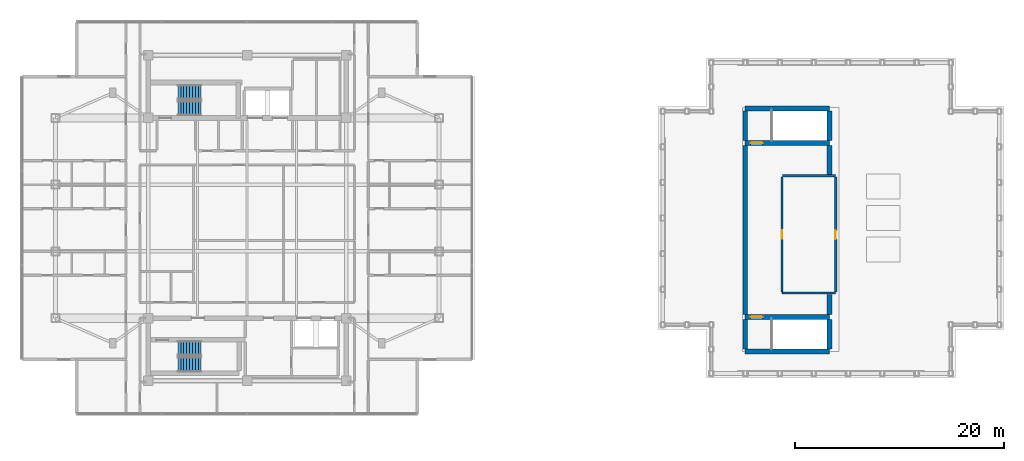
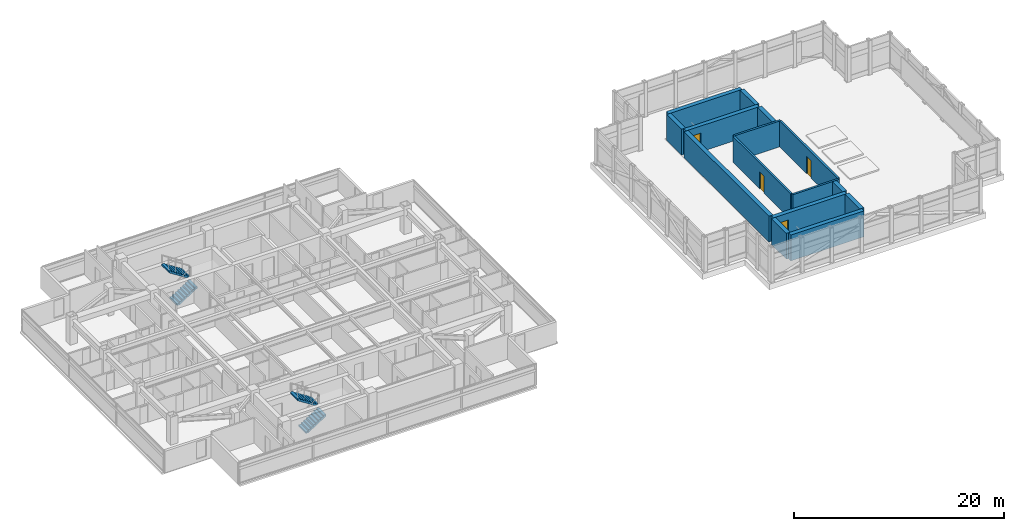
# One storey, part 14 of 17: 15 walls, 4 doors, 4 stair flights, 4 openings, 2 elements without a shape of their own.
"""IFC4 building model written with IfcOpenShell, lengths in metres."""

from ifc_helpers import new_model, si_unit, direction, frame, frame_2d, origin, place, context, subcontext, project, spatial, polyline, rectangle, outline, extrude, material, layer, layer_set, type_object, element, fill, aggregate, save


model = new_model("IFC4")

# Units and contexts
model_context = context("Model", 3, precision=1e-05, world=origin(), true_north=direction((0.0, 1.0)))
body_context = subcontext(model_context, "Body", "Model", "MODEL_VIEW")
ifc_project = project(units=[si_unit("LENGTHUNIT", "METRE"), si_unit("AREAUNIT", "SQUARE_METRE"), si_unit("VOLUMEUNIT", "CUBIC_METRE"), si_unit("PLANEANGLEUNIT", "RADIAN"), si_unit("MASSUNIT", "GRAM", prefix="KILO")], contexts=[model_context])

# Site, building, storey
site_placement = place(None, origin())
site = spatial("IfcSite", under=ifc_project, at=site_placement, CompositionType="ELEMENT")
building_placement = place(site_placement, origin())
building = spatial("IfcBuilding", under=site, at=building_placement, Name="Mirazonda Arch Towers", CompositionType="ELEMENT")
storey_placement = place(building_placement, frame((0.0, 0.0, 209.64990234375)))
storey = spatial("IfcBuildingStorey", under=building, at=storey_placement, Name="L60", CompositionType="ELEMENT", Elevation=209.64990234375)

# Wall
ifc_material_1 = material(Name="Concrete C50/60", Category="concrete")
ifc_layer_1 = layer(ifc_material_1, 0.449951171875, Name="WALL-CORE-450")
ifc_layer_set_1 = layer_set([ifc_layer_1], Name="Concrete C50/60")
wall_type_1 = type_object("IfcWallType", Name="WALL-CORE-450", PredefinedType="SHEAR", material=ifc_layer_set_1)
wall_1_placement = place(storey_placement, frame((68.27001953125, 15.199951171875, 0.0), z_axis=(0.0, 0.0, 1.0), x_axis=(1.0, 0.0, 0.0)))
element("IfcWall", 1, at=wall_1_placement, inside=storey, type_object=wall_type_1, Name="L60 Stair Core Shear Wall 007", PredefinedType="SHEAR", context=body_context, shape_type="SweptSolid", body=[
    extrude(rectangle(XDim=8.090087890625, YDim=0.449951171875, at=frame_2d((4.044921875, 0.0))), origin(), (0.0, 0.0, 1.0), 3.02001953125),
])

# Wall, opening, door
wall_2_placement = place(storey_placement, frame((68.27001953125, 18.5, 0.0), z_axis=(0.0, 0.0, 1.0), x_axis=(1.0, 0.0, 0.0)))
wall_2 = element("IfcWall", 2, at=wall_2_placement, inside=storey, type_object=wall_type_1, Name="L60 Stair Core Shear Wall 012", PredefinedType="SHEAR", context=body_context, shape_type="SweptSolid", body=[
    extrude(rectangle(XDim=8.090087890625, YDim=0.449951171875, at=frame_2d((4.044921875, 0.0))), origin(), (0.0, 0.0, 1.0), 3.02001953125),
])
opening_1_placement = place(wall_2_placement, frame((0.52001953125, 0.0, 0.0)))
opening_1 = element("IfcOpeningElement", 3, at=opening_1_placement, cuts=wall_2, Name="Opening DR-135", PredefinedType="OPENING", context=body_context, shape_type="SweptSolid", body=[
    extrude(rectangle(XDim=1.14990234375, YDim=2.199951171875, at=frame_2d((0.574951171875, 1.10009765625))), frame((0.0, 0.23486328125, 0.0), z_axis=(0.0, -1.0, 0.0), x_axis=(1.0, 0.0, 0.0)), (0.0, 0.0, 1.0), 0.469970703125),
])
ifc_material_2 = material(Name="Architectural Brushed Steel S355", Category="steel")
door_type_1 = type_object("IfcDoorType", Name="DOOR-STAIR-FD90-1150", OperationType="NOTDEFINED", PredefinedType="DOOR", material=ifc_material_2)
door_1_placement = place(opening_1_placement, origin())
door_1 = element("IfcDoor", 4, at=door_1_placement, inside=storey, type_object=door_type_1, Name="L60 East Protected Stair South Door", OperationType="SINGLE_SWING_RIGHT", OverallHeight=2.199951171875, OverallWidth=1.14990234375, PredefinedType="DOOR", context=body_context, shape_type="SweptSolid", body=[
    extrude(rectangle(XDim=1.14990234375, YDim=2.199951171875, at=frame_2d((0.574951171875, 1.10009765625))), frame((0.0, 0.02490234375, 0.0), z_axis=(0.0, -1.0, 0.0), x_axis=(1.0, 0.0, 0.0)), (0.0, 0.0, 1.0), 0.050048828125),
])
fill(opening_1, door_1)

wall_3_placement = place(storey_placement, frame((68.27001953125, 35.199951171875, 0.0), z_axis=(0.0, 0.0, 1.0), x_axis=(1.0, 0.0, 0.0)))
wall_3 = element("IfcWall", 5, at=wall_3_placement, inside=storey, type_object=wall_type_1, Name="L60 Stair Core Shear Wall 031", PredefinedType="SHEAR", context=body_context, shape_type="SweptSolid", body=[
    extrude(rectangle(XDim=8.090087890625, YDim=0.449951171875, at=frame_2d((4.044921875, 0.0))), origin(), (0.0, 0.0, 1.0), 3.02001953125),
])
opening_2_placement = place(wall_3_placement, frame((0.52001953125, 0.0, 0.0)))
opening_2 = element("IfcOpeningElement", 6, at=opening_2_placement, cuts=wall_3, Name="Opening DR-135", PredefinedType="OPENING", context=body_context, shape_type="SweptSolid", body=[
    extrude(rectangle(XDim=1.14990234375, YDim=2.199951171875, at=frame_2d((0.574951171875, 1.10009765625))), frame((0.0, 0.23486328125, 0.0), z_axis=(0.0, -1.0, 0.0), x_axis=(1.0, 0.0, 0.0)), (0.0, 0.0, 1.0), 0.469970703125),
])
door_2_placement = place(opening_2_placement, origin())
door_2 = element("IfcDoor", 7, at=door_2_placement, inside=storey, type_object=door_type_1, Name="L60 East Protected Stair North Door", OperationType="SINGLE_SWING_LEFT", OverallHeight=2.199951171875, OverallWidth=1.14990234375, PredefinedType="DOOR", context=body_context, shape_type="SweptSolid", body=[
    extrude(rectangle(XDim=1.14990234375, YDim=2.199951171875, at=frame_2d((0.574951171875, 1.10009765625))), frame((0.0, 0.02490234375, 0.0), z_axis=(0.0, -1.0, 0.0), x_axis=(1.0, 0.0, 0.0)), (0.0, 0.0, 1.0), 0.050048828125),
])
fill(opening_2, door_2)

# Walls
wall_4_placement = place(storey_placement, frame((68.27001953125, 38.5, 0.0), z_axis=(0.0, 0.0, 1.0), x_axis=(1.0, 0.0, 0.0)))
element("IfcWall", 8, at=wall_4_placement, inside=storey, type_object=wall_type_1, Name="L60 Stair Core Shear Wall 032", PredefinedType="SHEAR", context=body_context, shape_type="SweptSolid", body=[
    extrude(rectangle(XDim=8.090087890625, YDim=0.449951171875, at=frame_2d((4.044921875, 0.0))), origin(), (0.0, 0.0, 1.0), 3.02001953125),
])
wall_5_placement = place(storey_placement, frame((68.27001953125, 15.43505859375, 0.0), z_axis=(0.0, 0.0, 1.0), x_axis=(0.0, 1.0, 0.0)))
element("IfcWall", 9, at=wall_5_placement, inside=storey, type_object=wall_type_1, Name="L60 Stair Core Shear Wall 102", PredefinedType="SHEAR", context=body_context, shape_type="SweptSolid", body=[
    extrude(rectangle(XDim=2.829833984375, YDim=0.449951171875, at=frame_2d((1.4150390625, 0.0))), origin(), (0.0, 0.0, 1.0), 3.02001953125),
])
wall_6_placement = place(storey_placement, frame((68.27001953125, 18.735107421875, 0.0), z_axis=(0.0, 0.0, 1.0), x_axis=(0.0, 1.0, 0.0)))
element("IfcWall", 10, at=wall_6_placement, inside=storey, type_object=wall_type_1, Name="L60 Stair Core Shear Wall 103", PredefinedType="SHEAR", context=body_context, shape_type="SweptSolid", body=[
    extrude(rectangle(XDim=16.22998046875, YDim=0.449951171875, at=frame_2d((8.114990234375, 0.0))), origin(), (0.0, 0.0, 1.0), 3.02001953125),
])
for number, where, z_axis, x_axis, name in (
    (11, (68.27001953125, 35.43505859375, 0.0), (0.0, 0.0, 1.0), (0.0, 1.0, 0.0), "L60 Stair Core Shear Wall 104"),
    (12, (76.360107421875, 15.43505859375, 0.0), (0.0, 0.0, 1.0), (0.0, 1.0, 0.0), "L60 Stair Core Shear Wall 106"),
):
    element("IfcWall", number, at=place(storey_placement, frame(where, z_axis=z_axis, x_axis=x_axis)), inside=storey, type_object=wall_type_1, Name=name, PredefinedType="SHEAR", context=body_context, shape_type="SweptSolid", body=[
        extrude(rectangle(XDim=2.829833984375, YDim=0.449951171875, at=frame_2d((1.4150390625, 0.0))), origin(), (0.0, 0.0, 1.0), 3.02001953125),
    ])
wall_7_placement = place(storey_placement, frame((76.360107421875, 18.735107421875, 0.0), z_axis=(0.0, 0.0, 1.0), x_axis=(0.0, 1.0, 0.0)))
element("IfcWall", 13, at=wall_7_placement, inside=storey, type_object=wall_type_1, Name="L60 Stair Core Shear Wall 107", PredefinedType="SHEAR", context=body_context, shape_type="SweptSolid", body=[
    extrude(rectangle(XDim=1.94482421875, YDim=0.449951171875, at=frame_2d((0.972412109375, 0.0))), origin(), (0.0, 0.0, 1.0), 3.02001953125),
])
wall_8_placement = place(storey_placement, frame((76.360107421875, 32.169921875, 0.0), z_axis=(0.0, 0.0, 1.0), x_axis=(0.0, 1.0, 0.0)))
element("IfcWall", 14, at=wall_8_placement, inside=storey, type_object=wall_type_1, Name="L60 Stair Core Shear Wall 108", PredefinedType="SHEAR", context=body_context, shape_type="SweptSolid", body=[
    extrude(rectangle(XDim=2.795166015625, YDim=0.449951171875, at=frame_2d((1.3974609375, 0.0))), origin(), (0.0, 0.0, 1.0), 3.02001953125),
])
wall_9_placement = place(storey_placement, frame((76.360107421875, 35.43505859375, 0.0), z_axis=(0.0, 0.0, 1.0), x_axis=(0.0, 1.0, 0.0)))
element("IfcWall", 15, at=wall_9_placement, inside=storey, type_object=wall_type_1, Name="L60 Stair Core Shear Wall 109", PredefinedType="SHEAR", context=body_context, shape_type="SweptSolid", body=[
    extrude(rectangle(XDim=2.829833984375, YDim=0.449951171875, at=frame_2d((1.4150390625, 0.0))), origin(), (0.0, 0.0, 1.0), 3.02001953125),
])
ifc_material_3 = material(Name="Concrete C40/50", Category="concrete")
ifc_layer_2 = layer(ifc_material_3, 0.219970703125, Name="WALL-FFL-220")
ifc_layer_set_2 = layer_set([ifc_layer_2], Name="Concrete C40/50")
wall_type_2 = type_object("IfcWallType", Name="WALL-FFL-220", PredefinedType="SOLIDWALL", material=ifc_layer_set_2)
wall_10_placement = place(storey_placement, frame((71.800048828125, 20.800048828125, 0.0), z_axis=(0.0, 0.0, 1.0), x_axis=(1.0, 0.0, 0.0)))
element("IfcWall", 16, at=wall_10_placement, inside=storey, type_object=wall_type_2, Name="L60 Interior Partition 014", PredefinedType="SOLIDWALL", context=body_context, shape_type="SweptSolid", body=[
    extrude(rectangle(XDim=5.14990234375, YDim=0.219970703125, at=frame_2d((2.574951171875, 0.0))), origin(), (0.0, 0.0, 1.0), 3.02001953125),
])
wall_11_placement = place(storey_placement, frame((71.840087890625, 32.050048828125, 0.0), z_axis=(0.0, 0.0, 1.0), x_axis=(1.0, 0.0, 0.0)))
element("IfcWall", 17, at=wall_11_placement, inside=storey, type_object=wall_type_2, Name="L60 Interior Partition 025", PredefinedType="SOLIDWALL", context=body_context, shape_type="SweptSolid", body=[
    extrude(rectangle(XDim=5.10986328125, YDim=0.219970703125, at=frame_2d((2.554931640625, 0.0))), origin(), (0.0, 0.0, 1.0), 3.02001953125),
])

# Wall, opening, door
wall_12_placement = place(storey_placement, frame((71.800048828125, 20.919921875, 0.0), z_axis=(0.0, 0.0, 1.0), x_axis=(0.0, 1.0, 0.0)))
wall_12 = element("IfcWall", 18, at=wall_12_placement, inside=storey, type_object=wall_type_2, Name="L60 Interior Partition 105", PredefinedType="SOLIDWALL", context=body_context, shape_type="SweptSolid", body=[
    extrude(rectangle(XDim=11.010009765625, YDim=0.219970703125, at=frame_2d((5.5048828125, 0.0))), origin(), (0.0, 0.0, 1.0), 3.02001953125),
])
opening_3_placement = place(wall_12_placement, frame((5.080078125, 0.0, 0.0)))
opening_3 = element("IfcOpeningElement", 19, at=opening_3_placement, cuts=wall_12, Name="Opening DR-128", PredefinedType="OPENING", context=body_context, shape_type="SweptSolid", body=[
    extrude(rectangle(XDim=0.85009765625, YDim=2.010009765625, at=frame_2d((0.425048828125, 1.0048828125))), frame((0.0, 0.119873046875, 0.0), z_axis=(0.0, -1.0, 0.0), x_axis=(1.0, 0.0, 0.0)), (0.0, 0.0, 1.0), 0.239990234375),
])
door_type_2 = type_object("IfcDoorType", Name="DOOR-RISER-FD60-850", OperationType="NOTDEFINED", PredefinedType="DOOR", material=ifc_material_2)
door_3_placement = place(opening_3_placement, origin())
door_3 = element("IfcDoor", 20, at=door_3_placement, inside=storey, type_object=door_type_2, Name="L60 L60 Tower 2 Crown Pressurization & Cooling Plant Room Door", OperationType="SINGLE_SWING_LEFT", OverallHeight=2.010009765625, OverallWidth=0.85009765625, PredefinedType="DOOR", context=body_context, shape_type="SweptSolid", body=[
    extrude(rectangle(XDim=0.85009765625, YDim=2.010009765625, at=frame_2d((0.425048828125, 1.0048828125))), frame((0.0, 0.02490234375, 0.0), z_axis=(0.0, -1.0, 0.0), x_axis=(1.0, 0.0, 0.0)), (0.0, 0.0, 1.0), 0.050048828125),
])
fill(opening_3, door_3)

wall_13_placement = place(storey_placement, frame((76.949951171875, 20.919921875, 0.0), z_axis=(0.0, 0.0, 1.0), x_axis=(0.0, 1.0, 0.0)))
wall_13 = element("IfcWall", 21, at=wall_13_placement, inside=storey, type_object=wall_type_2, Name="L60 Interior Partition 110", PredefinedType="SOLIDWALL", context=body_context, shape_type="SweptSolid", body=[
    extrude(rectangle(XDim=11.010009765625, YDim=0.219970703125, at=frame_2d((5.5048828125, 0.0))), origin(), (0.0, 0.0, 1.0), 3.02001953125),
])
opening_4_placement = place(wall_13_placement, frame((5.054931640625, 0.0, 0.0)))
opening_4 = element("IfcOpeningElement", 22, at=opening_4_placement, cuts=wall_13, Name="Opening DR-128", PredefinedType="OPENING", context=body_context, shape_type="SweptSolid", body=[
    extrude(rectangle(XDim=0.85009765625, YDim=2.010009765625, at=frame_2d((0.425048828125, 1.0048828125))), frame((0.0, 0.119873046875, 0.0), z_axis=(0.0, -1.0, 0.0), x_axis=(1.0, 0.0, 0.0)), (0.0, 0.0, 1.0), 0.239990234375),
])
door_4_placement = place(opening_4_placement, origin())
door_4 = element("IfcDoor", 23, at=door_4_placement, inside=storey, type_object=door_type_2, Name="L60 Tower 2 Crown Deck Maintenance Access Door", OperationType="SINGLE_SWING_LEFT", OverallHeight=2.010009765625, OverallWidth=0.85009765625, PredefinedType="DOOR", context=body_context, shape_type="SweptSolid", body=[
    extrude(rectangle(XDim=0.85009765625, YDim=2.010009765625, at=frame_2d((0.425048828125, 1.0048828125))), frame((0.0, 0.02490234375, 0.0), z_axis=(0.0, -1.0, 0.0), x_axis=(1.0, 0.0, 0.0)), (0.0, 0.0, 1.0), 0.050048828125),
])
fill(opening_4, door_4)

# Stair, stair flights
stair_type = type_object("IfcStairType", Name="STAIR-CORE-1400", PredefinedType="HALF_TURN_STAIR", material=ifc_material_3)
stair_1_placement = place(storey_placement, origin())
stair_1 = element("IfcStair", 24, at=stair_1_placement, inside=storey, type_object=stair_type, Name="L60 Protected Exit Stair ST-T1N", PredefinedType="HALF_TURN_STAIR")
stair_flight_type = type_object("IfcStairFlightType", Name="FLIGHT-1400", PredefinedType="STRAIGHT", material=ifc_material_3)
stair_flight_1_placement = place(storey_placement, frame((13.85009765625, 38.52001953125, 0.0), z_axis=(0.0, 0.0, 1.0), x_axis=(1.0, 0.0, 0.0)))
stair_flight_1 = element("IfcStairFlight", 25, at=stair_flight_1_placement, type_object=stair_flight_type, Name="ST-T1N flight 1", NumberOfRisers=9, NumberOfTreads=8, PredefinedType="STRAIGHT", RiserHeight=0.180555556, TreadLength=0.28, context=body_context, shape_type="SweptSolid", body=[
    extrude(outline(polyline([(0.0, 0.0), (0.0, 0.1806640625), (0.280029296875, 0.1806640625), (0.280029296875, 0.361083984375), (0.56005859375, 0.361083984375), (0.56005859375, 0.541748046875), (0.840087890625, 0.541748046875), (0.840087890625, 0.72216796875), (1.1201171875, 0.72216796875), (1.1201171875, 0.90283203125), (1.39990234375, 0.90283203125), (1.39990234375, 1.083251953125), (1.679931640625, 1.083251953125), (1.679931640625, 1.263916015625), (1.9599609375, 1.263916015625), (1.9599609375, 1.4443359375), (2.239990234375, 1.4443359375), (2.239990234375, 1.625), (2.239990234375, 1.254150390625), (0.295166015625, 0.0), (0.0, 0.0)])), frame((0.0, 0.699951171875, 0.0), z_axis=(0.0, -1.0, 0.0), x_axis=(1.0, 0.0, 0.0)), (0.0, 0.0, 1.0), 1.39990234375),
])
stair_flight_2_placement = place(storey_placement, frame((16.090087890625, 40.06005859375, 1.625), z_axis=(0.0, 0.0, 1.0), x_axis=(-1.0, 0.0, 0.0)))
stair_flight_2 = element("IfcStairFlight", 26, at=stair_flight_2_placement, type_object=stair_flight_type, Name="ST-T1N flight 2", NumberOfRisers=9, NumberOfTreads=8, PredefinedType="STRAIGHT", RiserHeight=0.180555556, TreadLength=0.28, context=body_context, shape_type="SweptSolid", body=[
    extrude(outline(polyline([(0.0, 0.0), (0.0, 0.1806640625), (0.280029296875, 0.1806640625), (0.280029296875, 0.361083984375), (0.56005859375, 0.361083984375), (0.56005859375, 0.541748046875), (0.840087890625, 0.541748046875), (0.840087890625, 0.72216796875), (1.1201171875, 0.72216796875), (1.1201171875, 0.90283203125), (1.39990234375, 0.90283203125), (1.39990234375, 1.083251953125), (1.679931640625, 1.083251953125), (1.679931640625, 1.263916015625), (1.9599609375, 1.263916015625), (1.9599609375, 1.4443359375), (2.239990234375, 1.4443359375), (2.239990234375, 1.625), (2.239990234375, 1.254150390625), (0.295166015625, 0.0), (0.0, 0.0)])), frame((0.0, 0.699951171875, 0.0), z_axis=(0.0, -1.0, 0.0), x_axis=(1.0, 0.0, 0.0)), (0.0, 0.0, 1.0), 1.39990234375),
])
aggregate(stair_1, [stair_flight_1, stair_flight_2])

stair_2_placement = place(storey_placement, origin())
stair_2 = element("IfcStair", 27, at=stair_2_placement, inside=storey, type_object=stair_type, Name="L60 Protected Exit Stair ST-T1S", PredefinedType="HALF_TURN_STAIR")
stair_flight_3_placement = place(storey_placement, frame((13.85009765625, 13.949951171875, 0.0), z_axis=(0.0, 0.0, 1.0), x_axis=(1.0, 0.0, 0.0)))
stair_flight_3 = element("IfcStairFlight", 28, at=stair_flight_3_placement, type_object=stair_flight_type, Name="ST-T1S flight 1", NumberOfRisers=9, NumberOfTreads=8, PredefinedType="STRAIGHT", RiserHeight=0.180555556, TreadLength=0.28, context=body_context, shape_type="SweptSolid", body=[
    extrude(outline(polyline([(0.0, 0.0), (0.0, 0.1806640625), (0.280029296875, 0.1806640625), (0.280029296875, 0.361083984375), (0.56005859375, 0.361083984375), (0.56005859375, 0.541748046875), (0.840087890625, 0.541748046875), (0.840087890625, 0.72216796875), (1.1201171875, 0.72216796875), (1.1201171875, 0.90283203125), (1.39990234375, 0.90283203125), (1.39990234375, 1.083251953125), (1.679931640625, 1.083251953125), (1.679931640625, 1.263916015625), (1.9599609375, 1.263916015625), (1.9599609375, 1.4443359375), (2.239990234375, 1.4443359375), (2.239990234375, 1.625), (2.239990234375, 1.254150390625), (0.295166015625, 0.0), (0.0, 0.0)])), frame((0.0, 0.699951171875, 0.0), z_axis=(0.0, -1.0, 0.0), x_axis=(1.0, 0.0, 0.0)), (0.0, 0.0, 1.0), 1.39990234375),
])
stair_flight_4_placement = place(storey_placement, frame((16.090087890625, 15.489990234375, 1.625), z_axis=(0.0, 0.0, 1.0), x_axis=(-1.0, 0.0, 0.0)))
stair_flight_4 = element("IfcStairFlight", 29, at=stair_flight_4_placement, type_object=stair_flight_type, Name="ST-T1S flight 2", NumberOfRisers=9, NumberOfTreads=8, PredefinedType="STRAIGHT", RiserHeight=0.180555556, TreadLength=0.28, context=body_context, shape_type="SweptSolid", body=[
    extrude(outline(polyline([(0.0, 0.0), (0.0, 0.1806640625), (0.280029296875, 0.1806640625), (0.280029296875, 0.361083984375), (0.56005859375, 0.361083984375), (0.56005859375, 0.541748046875), (0.840087890625, 0.541748046875), (0.840087890625, 0.72216796875), (1.1201171875, 0.72216796875), (1.1201171875, 0.90283203125), (1.39990234375, 0.90283203125), (1.39990234375, 1.083251953125), (1.679931640625, 1.083251953125), (1.679931640625, 1.263916015625), (1.9599609375, 1.263916015625), (1.9599609375, 1.4443359375), (2.239990234375, 1.4443359375), (2.239990234375, 1.625), (2.239990234375, 1.254150390625), (0.295166015625, 0.0), (0.0, 0.0)])), frame((0.0, 0.699951171875, 0.0), z_axis=(0.0, -1.0, 0.0), x_axis=(1.0, 0.0, 0.0)), (0.0, 0.0, 1.0), 1.39990234375),
])
aggregate(stair_2, [stair_flight_3, stair_flight_4])

save(model, "model.ifc")
